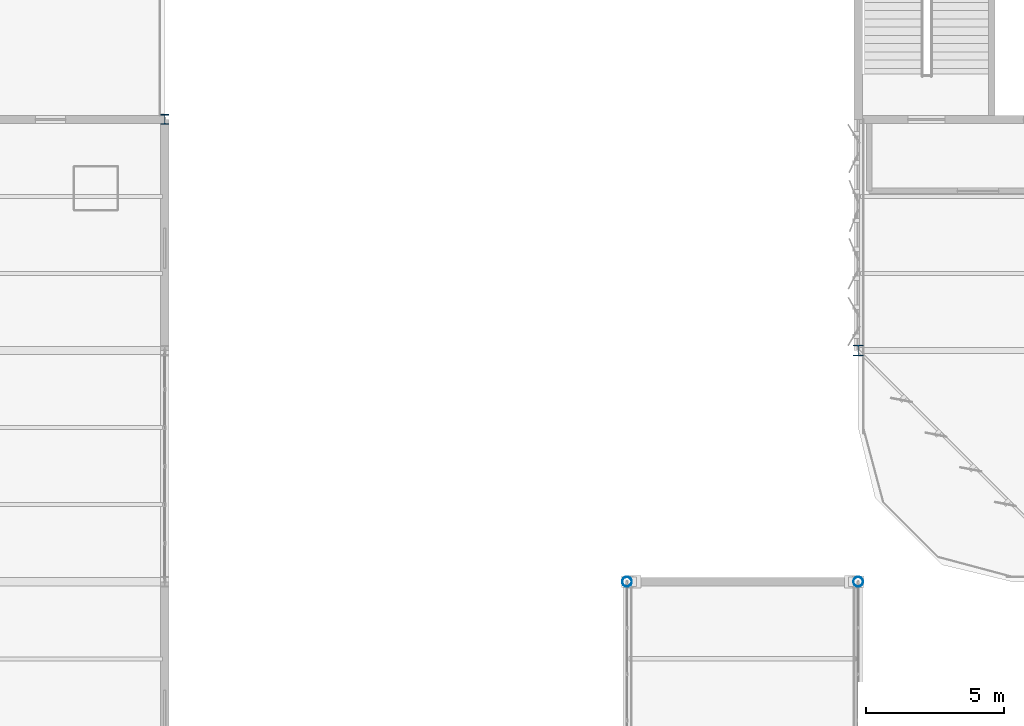
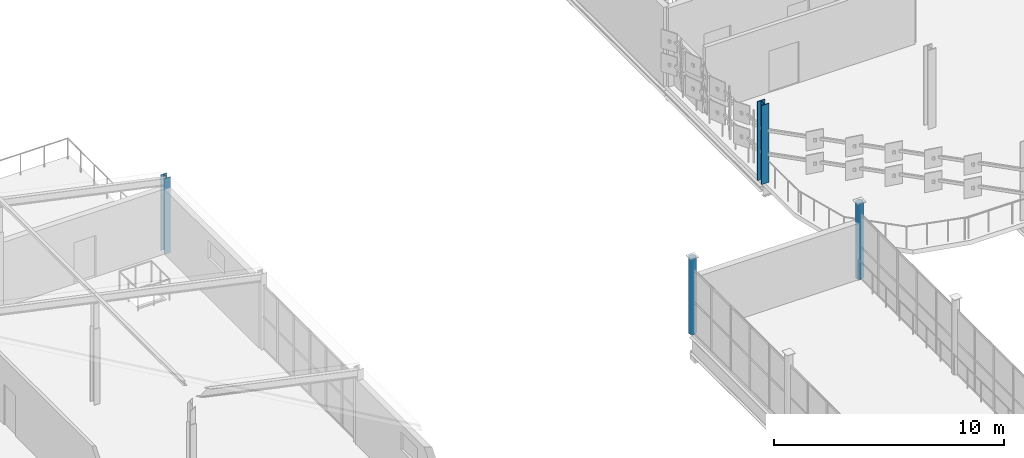
# One storey, part 10 of 184: 4 columns.
"""IFC4 building model written with IfcOpenShell, lengths in metres."""

from ifc_helpers import new_model, si_unit, direction, frame, origin, origin_2d, place, context, subcontext, project, spatial, hollow_circle, i_section, extrude, material, material_profile, profile_set, type_object, element, save


model = new_model("IFC4")

# Units and contexts
model_context = context("Model", 3, precision=1e-05, world=origin(), true_north=direction((0.0, 1.0)))
body_context = subcontext(model_context, "Body", "Model", "MODEL_VIEW")
ifc_project = project(units=[si_unit("LENGTHUNIT", "METRE"), si_unit("AREAUNIT", "SQUARE_METRE"), si_unit("VOLUMEUNIT", "CUBIC_METRE"), si_unit("PLANEANGLEUNIT", "RADIAN"), si_unit("MASSUNIT", "GRAM", prefix="KILO")], contexts=[model_context])

# Site, building, storey
site_placement = place(None, origin())
site = spatial("IfcSite", under=ifc_project, at=site_placement, CompositionType="ELEMENT")
building_placement = place(site_placement, origin())
building = spatial("IfcBuilding", under=site, at=building_placement, Name="Qalvenar Corner Mobility Hub", CompositionType="ELEMENT")
storey_placement = place(building_placement, frame((0.0, 0.0, 9.0)))
storey = spatial("IfcBuildingStorey", under=building, at=storey_placement, Name="L02", CompositionType="ELEMENT", Elevation=9.0)

# Columns
ifc_material = material(Name="Steel S355", Category="steel")
ifc_material_profile_1 = material_profile(ifc_material, hollow_circle(Radius=0.177734375, WallThickness=0.010009765625, at=origin_2d()), Name="CHS355.6x10")
ifc_profile_set_1 = profile_set([ifc_material_profile_1], Name="Steel S355")
column_type_1 = type_object("IfcColumnType", Name="COL-CHS355", PredefinedType="COLUMN", material=ifc_profile_set_1)
for number, where, z_axis, x_axis, name in (
    (1, (50.39990234375, 67.199951171875, 0.0), (0.0, 0.0, 1.0), (1.0, 0.0, 0.0), "Steel Column L02-G7-8"),
    (2, (58.800048828125, 67.199951171875, 0.0), (0.0, 0.0, 1.0), (1.0, 0.0, 0.0), "Steel Column L02-G8-8"),
):
    element("IfcColumn", number, at=place(storey_placement, frame(where, z_axis=z_axis, x_axis=x_axis)), inside=storey, type_object=column_type_1, Name=name, PredefinedType="COLUMN", context=body_context, shape_type="SweptSolid", body=[
        extrude(hollow_circle(Radius=0.177734375, WallThickness=0.010009765625, at=origin_2d()), origin(), (0.0, 0.0, 1.0), 4.030029296875),
    ])
ifc_material_profile_2 = material_profile(ifc_material, i_section(OverallWidth=0.376953125, OverallDepth=0.386962890625, WebThickness=0.0224609375, FlangeThickness=0.035888671875, FilletRadius=0.014892578125, at=origin_2d()), Name="HD360x262")
ifc_profile_set_2 = profile_set([ifc_material_profile_2], Name="Steel S355")
column_type_2 = type_object("IfcColumnType", Name="COL-HD360X262", PredefinedType="COLUMN", material=ifc_profile_set_2)
column_1_placement = place(storey_placement, frame((58.800048828125, 75.60009765625, 0.0), z_axis=(0.0, 0.0, 1.0), x_axis=(1.0, 0.0, 0.0)))
element("IfcColumn", 3, at=column_1_placement, inside=storey, type_object=column_type_2, Name="Steel Column L02-G8-9", PredefinedType="COLUMN", context=body_context, shape_type="SweptSolid", body=[
    extrude(i_section(OverallWidth=0.376953125, OverallDepth=0.386962890625, WebThickness=0.0224609375, FlangeThickness=0.035888671875, FilletRadius=0.014892578125, at=origin_2d()), origin(), (0.0, 0.0, 1.0), 4.199951171875),
])
ifc_material_profile_3 = material_profile(ifc_material, i_section(OverallWidth=0.300048828125, OverallDepth=0.360107421875, WebThickness=0.012451171875, FlangeThickness=0.0224609375, FilletRadius=0.027099609375, at=origin_2d()), Name="HEB360")
ifc_profile_set_3 = profile_set([ifc_material_profile_3], Name="Steel S355")
column_type_3 = type_object("IfcColumnType", Name="COL-HEB360", PredefinedType="COLUMN", material=ifc_profile_set_3)
column_2_placement = place(storey_placement, frame((33.60009765625, 84.0, 0.0), z_axis=(0.0, 0.0, 1.0), x_axis=(1.0, 0.0, 0.0)))
element("IfcColumn", 4, at=column_2_placement, inside=storey, type_object=column_type_3, Name="Steel Column L02-G5-10", PredefinedType="COLUMN", context=body_context, shape_type="SweptSolid", body=[
    extrude(i_section(OverallWidth=0.300048828125, OverallDepth=0.360107421875, WebThickness=0.012451171875, FlangeThickness=0.0224609375, FilletRadius=0.027099609375, at=origin_2d()), origin(), (0.0, 0.0, 1.0), 4.030029296875),
])

save(model, "model.ifc")
